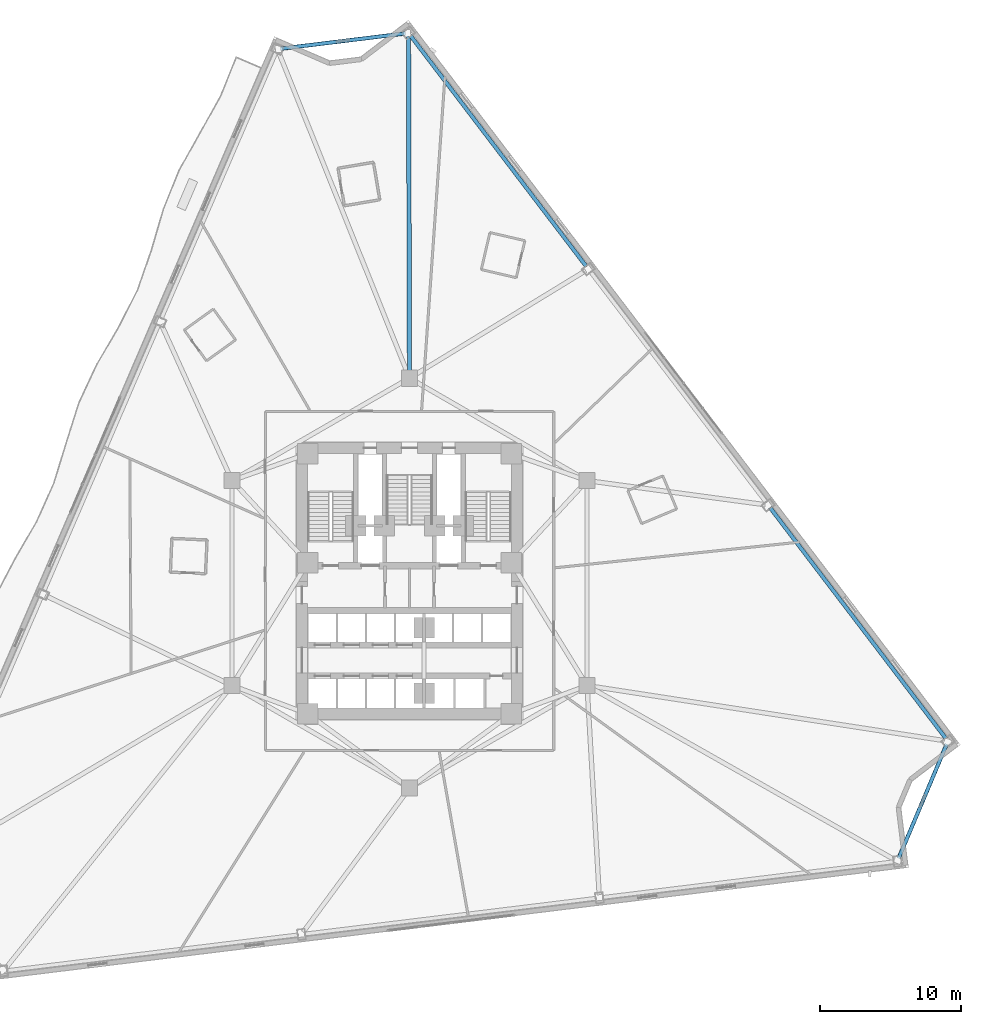
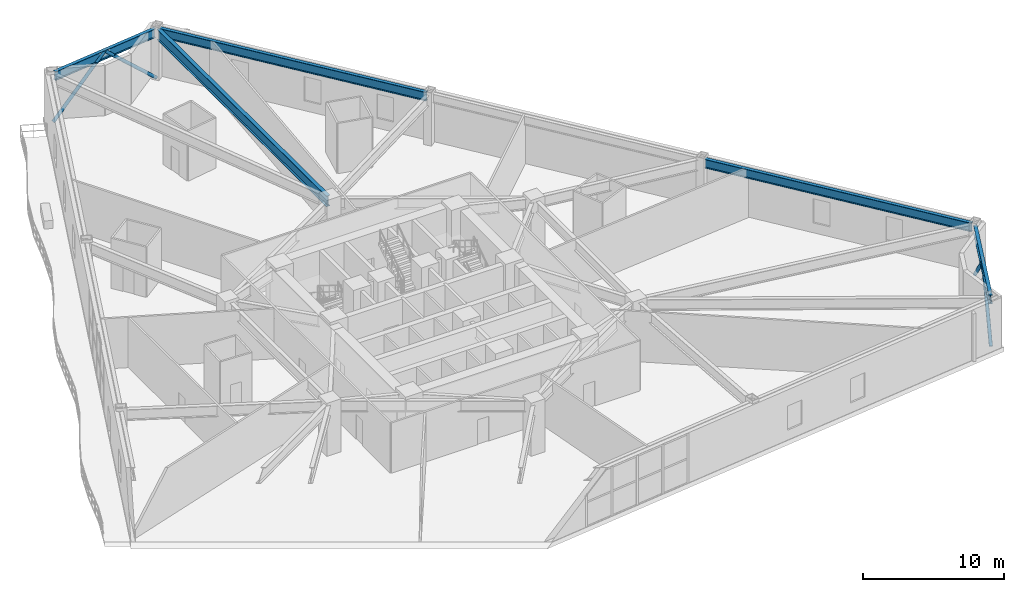
# One storey, part 7 of 21: 5 beams, 4 members.
"""IFC4 building model written with IfcOpenShell, lengths in metres."""

import ifcopenshell
import ifcopenshell.guid

model = None  # the IFC model being written
_history = None  # IfcOwnerHistory: only IFC2X3 demands one
_inside = {}  # id of a spatial element -> (the spatial element, [elements in it])
_under = {}  # id of a project, library or spatial element -> (it, [spatial elements below it])
_declared = {}  # id of a project -> (the project, [libraries it declares])
_typed = {}  # id of a type object -> (the type object, [elements of that type])
_made_of = {}  # id of a material, layer set ... -> (it, [elements and type objects made of it])


def new_model(schema):
    """Start an empty IFC model of exactly this schema.

    Asked for "IFC4X3", IfcOpenShell would pick the latest addendum, in which some entities
    have other attributes; the version numbers below select the first issue.
    IFC2X3 requires an IfcOwnerHistory on every rooted entity: one is made here for all.
    """
    global model, _history
    if schema == "IFC4X3":
        model = ifcopenshell.file(schema_version=(4, 3, 0, 0))
    else:
        model = ifcopenshell.file(schema=schema)
    _inside.clear()
    _under.clear()
    _declared.clear()
    _typed.clear()
    _made_of.clear()
    _history = None
    if model.schema == "IFC2X3":
        org = make("IfcOrganization", Name="unknown")
        user = make(
            "IfcPersonAndOrganization",
            ThePerson=make("IfcPerson", FamilyName="unknown"),
            TheOrganization=org,
        )
        app = make(
            "IfcApplication",
            ApplicationDeveloper=org,
            Version="unknown",
            ApplicationFullName="unknown",
            ApplicationIdentifier="unknown",
        )
        _history = make(
            "IfcOwnerHistory",
            OwningUser=user,
            OwningApplication=app,
            ChangeAction="ADDED",
            CreationDate=0,
        )
    return model


def make(cls, **values):
    """One entity of the class cls with the attributes given. An attribute that is None is left unset."""
    return model.create_entity(
        cls, **{name: value for name, value in values.items() if value is not None}
    )


def rooted(cls, **values):
    """An entity with a GlobalId (a new one), such as an element, a storey or a relation."""
    return make(cls, GlobalId=ifcopenshell.guid.new(), OwnerHistory=_history, **values)


def si_unit(unit_type, name, prefix=None):
    """IfcSIUnit, for example si_unit("LENGTHUNIT", "METRE", prefix="MILLI")."""
    return make("IfcSIUnit", UnitType=unit_type, Prefix=prefix, Name=name)


def assignment(units):
    """IfcUnitAssignment: the units of a project."""
    return None if units is None else make("IfcUnitAssignment", Units=units)


def point(xyz):
    """IfcCartesianPoint."""
    return None if xyz is None else make("IfcCartesianPoint", Coordinates=xyz)


def direction(xyz):
    """IfcDirection."""
    return None if xyz is None else make("IfcDirection", DirectionRatios=xyz)


def frame(location, z_axis=None, x_axis=None):
    """IfcAxis2Placement3D, a coordinate frame: its origin and axes. An axis left out is left unset."""
    return make(
        "IfcAxis2Placement3D",
        Location=point(location),
        Axis=direction(z_axis),
        RefDirection=direction(x_axis),
    )


def frame_2d(location, x_axis=None):
    """IfcAxis2Placement2D, a coordinate frame in the plane: its origin and x axis."""
    return make(
        "IfcAxis2Placement2D", Location=point(location), RefDirection=direction(x_axis)
    )


def origin():
    """The frame at (0, 0, 0) with its axes left unset."""
    return frame((0.0, 0.0, 0.0))


def origin_2d():
    """The frame at (0, 0) in the plane with its x axis left unset."""
    return frame_2d((0.0, 0.0))


def place(relative_to, where):
    """IfcLocalPlacement: puts the frame where relative to a parent placement (None: the world)."""
    return make(
        "IfcLocalPlacement", PlacementRelTo=relative_to, RelativePlacement=where
    )


def context(
    kind, dimensions, precision=None, world=None, true_north=None, identifier=None
):
    """IfcGeometricRepresentationContext, for example the 3D "Model" context."""
    return make(
        "IfcGeometricRepresentationContext",
        ContextIdentifier=identifier,
        ContextType=kind,
        CoordinateSpaceDimension=dimensions,
        Precision=precision,
        WorldCoordinateSystem=world,
        TrueNorth=true_north,
    )


def subcontext(parent, identifier, kind, view, scale=None):
    """IfcGeometricRepresentationSubContext, for example "Body" below "Model"."""
    return make(
        "IfcGeometricRepresentationSubContext",
        ContextIdentifier=identifier,
        ContextType=kind,
        ParentContext=parent,
        TargetScale=scale,
        TargetView=view,
    )


def project(units=None, contexts=None):
    """IfcProject with its units and contexts."""
    return rooted(
        "IfcProject",
        Name="project",
        RepresentationContexts=contexts,
        UnitsInContext=assignment(units),
    )


def spatial(cls, under=None, at=None, **own):
    """A site, building, storey or space (cls), placed at a placement, below another one or the project."""
    s = rooted(cls, ObjectPlacement=at, **own)
    if under is not None:
        _under.setdefault(under.id(), (under, []))[1].append(s)
    return s


def profile(cls, at=None, kind="AREA", **sizes):
    """A parametric profile (cls). Its sizes go by their IFC names, for example OverallWidth=200.0."""
    return make(cls, ProfileType=kind, Position=at, **sizes)


def hollow_circle(**sizes):
    """IfcCircleHollowProfileDef."""
    return profile("IfcCircleHollowProfileDef", **sizes)


def i_section(**sizes):
    """IfcIShapeProfileDef."""
    return profile("IfcIShapeProfileDef", **sizes)


def extrude(swept, where, along, depth):
    """IfcExtrudedAreaSolid: the profile swept, set in the frame where, extruded along a direction by depth."""
    return make(
        "IfcExtrudedAreaSolid",
        SweptArea=swept,
        Position=where,
        ExtrudedDirection=direction(along),
        Depth=depth,
    )


def shape(context_of_items, identifier, shape_type, items):
    """IfcShapeRepresentation: the items that make up one representation, for example the "Body"."""
    return make(
        "IfcShapeRepresentation",
        ContextOfItems=context_of_items,
        RepresentationIdentifier=identifier,
        RepresentationType=shape_type,
        Items=items,
    )


def material(Name=None, Category=None):
    """IfcMaterial."""
    return make("IfcMaterial", Name=Name, Category=Category)


def material_profile(
    of_material, cross_section, Name=None, Category=None, Priority=None
):
    """IfcMaterialProfile: a cross section and its material."""
    return make(
        "IfcMaterialProfile",
        Name=Name,
        Material=of_material,
        Profile=cross_section,
        Priority=Priority,
        Category=Category,
    )


def profile_set(profiles, Name=None, composite=None):
    """IfcMaterialProfileSet."""
    return make(
        "IfcMaterialProfileSet",
        Name=Name,
        MaterialProfiles=profiles,
        CompositeProfile=composite,
    )


def made_of(thing, what):
    """Note that an element or type object is made of a material, layer set ...; save() writes the relation."""
    if what is not None:
        _made_of.setdefault(what.id(), (what, []))[1].append(thing)
    return thing


def type_object(cls, material=None, **own):
    """A type object (cls), such as IfcWallType, which elements share."""
    return made_of(rooted(cls, **own), material)


def element(
    cls,
    number,
    at=None,
    inside=None,
    cuts=None,
    type_object=None,
    material=None,
    context=None,
    identifier="Body",
    shape_type=None,
    held_by="IfcProductDefinitionShape",
    body=None,
    shapes=None,
    **own,
):
    """One element of the class cls, such as IfcWall. Its Tag is "e" and its number.

    at: its placement. inside: the storey or other place that contains it. cuts: it is an
    opening in that element (IfcRelVoidsElement). A single representation is given by context,
    identifier, shape_type and body (its items); several are given by shapes. held_by: the class
    of the entity that holds the representations. save() writes the other relations.
    """
    e = rooted(cls, Tag="e%d" % number, ObjectPlacement=at, **own)
    if body is not None:
        shapes = [shape(context, identifier, shape_type, body)]
    if shapes is not None:
        e.Representation = make(held_by, Representations=shapes)
    if inside is not None:
        _inside.setdefault(inside.id(), (inside, []))[1].append(e)
    if cuts is not None:
        rooted(
            "IfcRelVoidsElement", RelatingBuildingElement=cuts, RelatedOpeningElement=e
        )
    if type_object is not None:
        _typed.setdefault(type_object.id(), (type_object, []))[1].append(e)
    return made_of(e, material)


def aggregate(whole, parts):
    """IfcRelAggregates: a whole, such as a stair, and the parts it consists of."""
    return rooted("IfcRelAggregates", RelatingObject=whole, RelatedObjects=parts)


def save(model, path):
    """Write the relations noted so far, then the file.

    IfcRelAggregates (storeys below a building ...), IfcRelContainedInSpatialStructure (elements
    in a storey), IfcRelDefinesByType, IfcRelAssociatesMaterial and IfcRelDeclares: one each for
    every whole, place, type object, material and project.
    """
    for whole, parts in _under.values():
        aggregate(whole, parts)
    for where, things in _inside.values():
        rooted(
            "IfcRelContainedInSpatialStructure",
            RelatedElements=things,
            RelatingStructure=where,
        )
    for kind, things in _typed.values():
        rooted("IfcRelDefinesByType", RelatedObjects=things, RelatingType=kind)
    for what, things in _made_of.values():
        rooted("IfcRelAssociatesMaterial", RelatedObjects=things, RelatingMaterial=what)
    for by, libraries in _declared.values():
        rooted("IfcRelDeclares", RelatingContext=by, RelatedDefinitions=libraries)
    model.write(path)


model = new_model("IFC4")

# Units and contexts
model_context = context("Model", 3, precision=1e-05, world=origin(), true_north=direction((0.0, 1.0)))
body_context = subcontext(model_context, "Body", "Model", "MODEL_VIEW")
ifc_project = project(units=[si_unit("LENGTHUNIT", "METRE"), si_unit("AREAUNIT", "SQUARE_METRE"), si_unit("VOLUMEUNIT", "CUBIC_METRE"), si_unit("PLANEANGLEUNIT", "RADIAN"), si_unit("MASSUNIT", "GRAM", prefix="KILO")], contexts=[model_context])

# Site, building, storey
site_placement = place(None, origin())
site = spatial("IfcSite", under=ifc_project, at=site_placement, CompositionType="ELEMENT")
building_placement = place(site_placement, origin())
building = spatial("IfcBuilding", under=site, at=building_placement, Name="Apsidion Concourse Tower", CompositionType="ELEMENT")
storey_placement = place(building_placement, frame((0.0, 0.0, 62.39990234375)))
storey = spatial("IfcBuildingStorey", under=building, at=storey_placement, Name="L13", CompositionType="ELEMENT", Elevation=62.39990234375)

# Beams
ifc_material_1 = material(Name="Structural steel ASTM A992 Grade 50", Category="steel")
ifc_material_profile_1 = material_profile(ifc_material_1, i_section(OverallWidth=0.31005859375, OverallDepth=0.931884765625, WebThickness=0.02099609375, FlangeThickness=0.034423828125, at=origin_2d()), Name="W36X210")
ifc_profile_set_1 = profile_set([ifc_material_profile_1], Name="Structural steel ASTM A992 Grade 50")
beam_type_1 = type_object("IfcBeamType", Name="BM-G-W36", PredefinedType="USERDEFINED", material=ifc_profile_set_1)
beam_1_placement = place(storey_placement, frame((-0.000732421875, 14.719970703125, 3.884033203125), z_axis=(-0.002953053731, 0.999995639727, 0.0), x_axis=(-0.999995639727, -0.002953053731, 0.0)))
element("IfcBeam", 1, at=beam_1_placement, inside=storey, type_object=beam_type_1, Name="L13 Radial Floor Girder RAD-12", ObjectType="GIRDER", PredefinedType="USERDEFINED", context=body_context, shape_type="SweptSolid", body=[
    extrude(i_section(OverallWidth=0.31005859375, OverallDepth=0.931884765625, WebThickness=0.02099609375, FlangeThickness=0.034423828125, at=origin_2d()), origin(), (0.0, 0.0, 1.0), 23.975341796875),
])
ifc_material_profile_2 = material_profile(ifc_material_1, i_section(OverallWidth=0.26806640625, OverallDepth=0.77001953125, WebThickness=0.015625, FlangeThickness=0.025390625, at=origin_2d()), Name="W30X132")
ifc_profile_set_2 = profile_set([ifc_material_profile_2], Name="Structural steel ASTM A992 Grade 50")
beam_type_2 = type_object("IfcBeamType", Name="BM-SP-W30", PredefinedType="SPANDREL", material=ifc_profile_set_2)
beam_2_placement = place(storey_placement, frame((34.599609375, -19.4765625, 3.965087890625), z_axis=(0.388335552383, 0.921518040385, 0.0), x_axis=(-0.921518040385, 0.388335552383, 0.0)))
element("IfcBeam", 2, at=beam_2_placement, inside=storey, type_object=beam_type_2, Name="L13 Perimeter Spandrel Girder SP-08", PredefinedType="SPANDREL", context=body_context, shape_type="SweptSolid", body=[
    extrude(i_section(OverallWidth=0.26806640625, OverallDepth=0.77001953125, WebThickness=0.015625, FlangeThickness=0.025390625, at=origin_2d()), origin(), (0.0, 0.0, 1.0), 8.7763671875),
])
for number, where, z_axis, x_axis, name in (
    (3, (37.959716796875, -11.01123046875, 3.965087890625), (-0.605965911945, 0.795490611862, 0.0), (-0.795490611862, -0.605965911945, 0.0), "L13 Perimeter Spandrel Girder SP-09"),
    (4, (12.51611328125, 22.3896484375, 3.965087890625), (-0.605965911945, 0.795490611862, 0.0), (-0.795490611862, -0.605965911945, 0.0), "L13 Perimeter Spandrel Girder SP-11"),
):
    element("IfcBeam", number, at=place(storey_placement, frame(where, z_axis=z_axis, x_axis=x_axis)), inside=storey, type_object=beam_type_2, Name=name, PredefinedType="SPANDREL", context=body_context, shape_type="SweptSolid", body=[
        extrude(i_section(OverallWidth=0.26806640625, OverallDepth=0.77001953125, WebThickness=0.015625, FlangeThickness=0.025390625, at=origin_2d()), origin(), (0.0, 0.0, 1.0), 20.55419921875),
    ])
beam_3_placement = place(storey_placement, frame((-0.290771484375, 38.888427734375, 3.965087890625), z_axis=(-0.992547646047, -0.121857171831, 0.0), x_axis=(0.121857171831, -0.992547646047, 0.0)))
element("IfcBeam", 5, at=beam_3_placement, inside=storey, type_object=beam_type_2, Name="L13 Perimeter Spandrel Girder SP-12", PredefinedType="SPANDREL", context=body_context, shape_type="SweptSolid", body=[
    extrude(i_section(OverallWidth=0.26806640625, OverallDepth=0.77001953125, WebThickness=0.015625, FlangeThickness=0.025390625, at=origin_2d()), origin(), (0.0, 0.0, 1.0), 8.901611328125),
])

# Members
ifc_material_2 = material(Name="Structural steel ASTM A500 Grade C", Category="steel")
ifc_material_profile_3 = material_profile(ifc_material_2, hollow_circle(Radius=0.136474609375, WallThickness=0.01611328125, at=origin_2d()), Name="CHS273X16")
ifc_profile_set_3 = profile_set([ifc_material_profile_3], Name="Structural steel ASTM A500 Grade C")
member_type = type_object("IfcMemberType", Name="MB-BR-CHS273", PredefinedType="BRACE", material=ifc_profile_set_3)
for number, where, z_axis, x_axis, name in (
    (6, (34.552978515625, -19.5869140625, 0.0), (0.28257567837, 0.670521230392, 0.685968122865), (-0.921511981198, 0.388349930487, 0.0), "L13 Corner Step-Transfer Chevron Brace KN-2-1"),
    (7, (38.05419921875, -11.2783203125, 0.0), (-0.282539418904, -0.670528696244, 0.685975760708), (0.92153136108, -0.388303940935, 0.0), "L13 Corner Step-Transfer Chevron Brace KN-2-2"),
):
    element("IfcMember", number, at=place(storey_placement, frame(where, z_axis=z_axis, x_axis=x_axis)), inside=storey, type_object=member_type, Name=name, PredefinedType="BRACE", context=body_context, shape_type="SweptSolid", body=[
        extrude(hollow_circle(Radius=0.136474609375, WallThickness=0.01611328125, at=origin_2d()), origin(), (0.0, 0.0, 1.0), 6.195556640625),
    ])
member_1_placement = place(storey_placement, frame((-0.171630859375, 38.903076171875, 0.0), z_axis=(-0.726871199495, -0.089264884148, 0.680947898009), x_axis=(0.121891301525, -0.992543455277, 0.0)))
element("IfcMember", 8, at=member_1_placement, inside=storey, type_object=member_type, Name="L13 Corner Step-Transfer Chevron Brace KN-3-1", PredefinedType="BRACE", context=body_context, shape_type="SweptSolid", body=[
    extrude(hollow_circle(Radius=0.136474609375, WallThickness=0.01611328125, at=origin_2d()), origin(), (0.0, 0.0, 1.0), 6.2412109375),
])
member_2_placement = place(storey_placement, frame((-9.2451171875, 37.7890625, 0.0), z_axis=(0.726892185986, 0.089223541744, 0.680930913934), x_axis=(-0.121832221232, 0.992550708966, 0.0)))
element("IfcMember", 9, at=member_2_placement, inside=storey, type_object=member_type, Name="L13 Corner Step-Transfer Chevron Brace KN-3-2", PredefinedType="BRACE", context=body_context, shape_type="SweptSolid", body=[
    extrude(hollow_circle(Radius=0.136474609375, WallThickness=0.01611328125, at=origin_2d()), origin(), (0.0, 0.0, 1.0), 6.241455078125),
])

save(model, "model.ifc")
